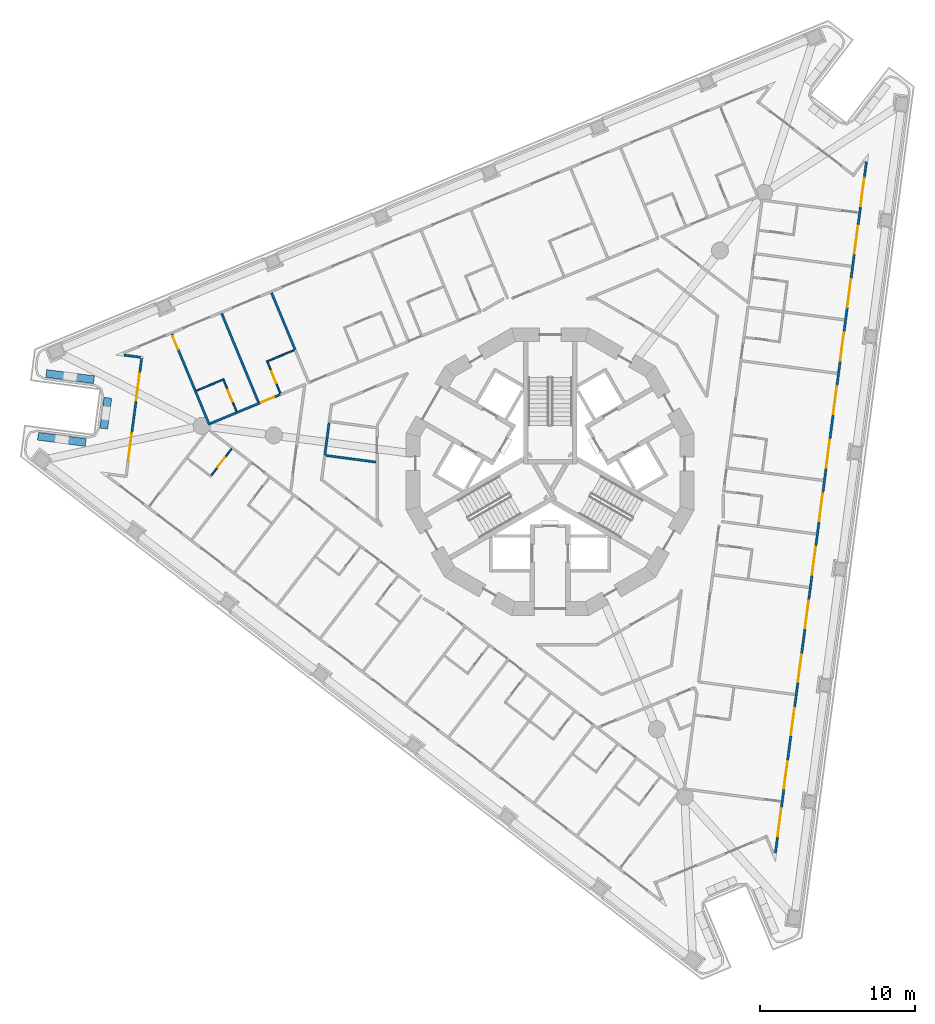
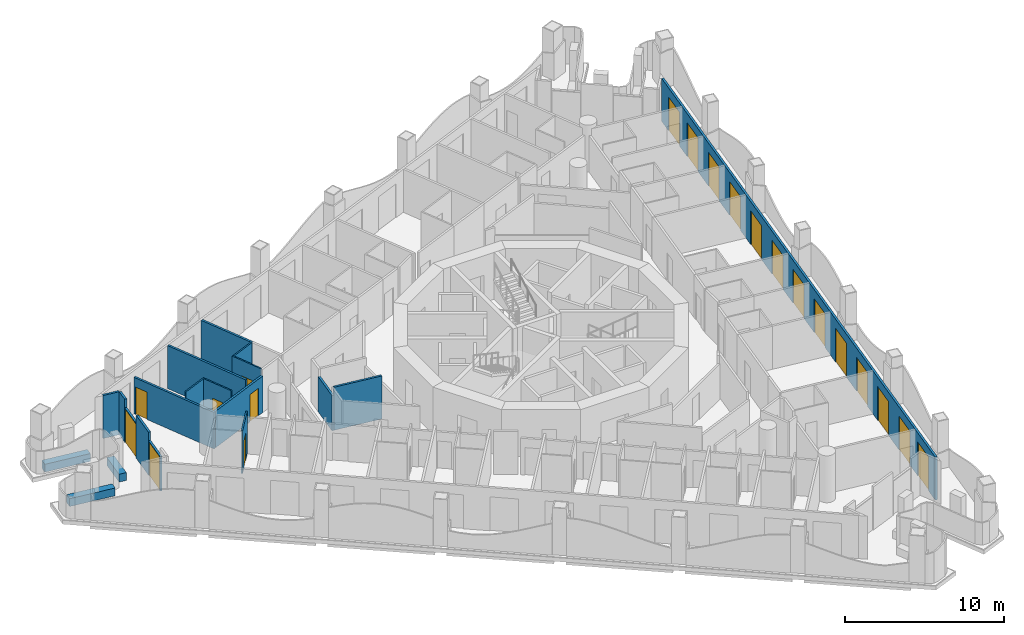
# One storey, part 6 of 17: 20 doors, 20 walls, 20 openings.
"""IFC4 building model written with IfcOpenShell, lengths in metres."""

from ifc_helpers import new_model, si_unit, direction, frame, frame_2d, origin, place, context, subcontext, project, spatial, polyline, rectangle, outline, extrude, material, layer, layer_set, type_object, element, fill, save


model = new_model("IFC4")

# Units and contexts
model_context = context("Model", 3, precision=1e-05, world=origin(), true_north=direction((0.0, 1.0)))
body_context = subcontext(model_context, "Body", "Model", "MODEL_VIEW")
ifc_project = project(units=[si_unit("LENGTHUNIT", "METRE"), si_unit("AREAUNIT", "SQUARE_METRE"), si_unit("VOLUMEUNIT", "CUBIC_METRE"), si_unit("PLANEANGLEUNIT", "RADIAN"), si_unit("MASSUNIT", "GRAM", prefix="KILO")], contexts=[model_context])

# Site, building, storey
site_placement = place(None, origin())
site = spatial("IfcSite", under=ifc_project, at=site_placement, CompositionType="ELEMENT")
building_placement = place(site_placement, origin())
building = spatial("IfcBuilding", under=site, at=building_placement, Name="Trine Commons Tower", CompositionType="ELEMENT")
storey_placement = place(building_placement, frame((0.0, 0.0, 149.39990234375)))
storey = spatial("IfcBuildingStorey", under=building, at=storey_placement, Name="L38", CompositionType="ELEMENT", Elevation=149.39990234375)

# Wall, opening, door
ifc_material_1 = material(Name="Aluminium-framed insulated wall panel", Category="aluminium")
ifc_layer_1 = layer(ifc_material_1, 0.14990234375)
ifc_layer_set_1 = layer_set([ifc_layer_1], Name="Aluminium-framed insulated wall panel")
wall_type_1 = type_object("IfcWallType", Name="Glazed frame wall 150, EI 60", PredefinedType="SOLIDWALL", material=ifc_layer_set_1)
wall_1_placement = place(storey_placement, frame((52.811279296875, 63.154296875, 0.0), z_axis=(0.0, 0.0, 1.0), x_axis=(0.130547578832, 0.991442045538, 0.0)))
wall_1 = element("IfcWall", 1, at=wall_1_placement, inside=storey, type_object=wall_type_1, Name="Glazed frame wall P1.2", PredefinedType="SOLIDWALL", context=body_context, shape_type="SweptSolid", body=[
    extrude(outline(polyline([(0.0, -0.074951171875), (1.89990234375, -0.074951171875), (1.89990234375, 0.074951171875), (0.0, 0.074951171875), (0.0, -0.074951171875)])), origin(), (0.0, 0.0, 1.0), 2.650146484375),
])
opening_1_placement = place(wall_1_placement, frame((0.050048828125, 0.0, 0.0)))
opening_1 = element("IfcOpeningElement", 2, at=opening_1_placement, cuts=wall_1, Name="Opening BD-4P1-01", PredefinedType="OPENING", context=body_context, shape_type="SweptSolid", body=[
    extrude(rectangle(XDim=1.800048828125, YDim=2.60009765625, at=frame_2d((0.89990234375, 1.300048828125))), frame((0.0, 0.0849609375, 0.0), z_axis=(0.0, -1.0, 0.0), x_axis=(1.0, 0.0, 0.0)), (0.0, 0.0, 1.0), 0.169921875),
])
ifc_material_2 = material(Name="Anodised aluminium frame with double glazing", Category="aluminium")
door_type_1 = type_object("IfcDoorType", Name="Sliding loggia door 1800x2600", OperationType="SLIDING_TO_LEFT", PredefinedType="DOOR", material=ifc_material_2)
door_1_placement = place(opening_1_placement, origin())
door_1 = element("IfcDoor", 3, at=door_1_placement, inside=storey, type_object=door_type_1, Name="Loggia door P1 1", OperationType="SLIDING_TO_LEFT", OverallHeight=2.60009765625, OverallWidth=1.800048828125, PredefinedType="DOOR", context=body_context, shape_type="SweptSolid", body=[
    extrude(rectangle(XDim=1.800048828125, YDim=2.60009765625, at=frame_2d((0.89990234375, 1.300048828125))), frame((0.0, 0.02490234375, 0.0), z_axis=(0.0, -1.0, 0.0), x_axis=(1.0, 0.0, 0.0)), (0.0, 0.0, 1.0), 0.050048828125),
])
fill(opening_1, door_1)

# Wall
wall_2_placement = place(storey_placement, frame((53.059326171875, 65.0380859375, 0.0), z_axis=(0.0, 0.0, 1.0), x_axis=(0.130492404742, 0.991449308994, 0.0)))
element("IfcWall", 4, at=wall_2_placement, inside=storey, type_object=wall_type_1, Name="Glazed frame wall P1.3", PredefinedType="SOLIDWALL", context=body_context, shape_type="SweptSolid", body=[
    extrude(outline(polyline([(0.0, -0.074951171875), (2.0, -0.074951171875), (2.0, 0.074951171875), (0.0, 0.074951171875), (0.0, -0.074951171875)])), origin(), (0.0, 0.0, 1.0), 3.300048828125),
])

# Wall, opening, door
wall_3_placement = place(storey_placement, frame((53.3203125, 67.02099609375, 0.0), z_axis=(0.0, 0.0, 1.0), x_axis=(0.130547578832, 0.991442045538, 0.0)))
wall_3 = element("IfcWall", 5, at=wall_3_placement, inside=storey, type_object=wall_type_1, Name="Glazed frame wall P1.4", PredefinedType="SOLIDWALL", context=body_context, shape_type="SweptSolid", body=[
    extrude(outline(polyline([(0.0, -0.074951171875), (1.89990234375, -0.074951171875), (1.89990234375, 0.074951171875), (0.0, 0.074951171875), (0.0, -0.074951171875)])), origin(), (0.0, 0.0, 1.0), 2.650146484375),
])
opening_2_placement = place(wall_3_placement, frame((0.050048828125, 0.0, 0.0)))
opening_2 = element("IfcOpeningElement", 6, at=opening_2_placement, cuts=wall_3, Name="Opening BD-4P1-02", PredefinedType="OPENING", context=body_context, shape_type="SweptSolid", body=[
    extrude(rectangle(XDim=1.800048828125, YDim=2.60009765625, at=frame_2d((0.89990234375, 1.300048828125))), frame((0.0, 0.0849609375, 0.0), z_axis=(0.0, -1.0, 0.0), x_axis=(1.0, 0.0, 0.0)), (0.0, 0.0, 1.0), 0.169921875),
])
door_2_placement = place(opening_2_placement, origin())
door_2 = element("IfcDoor", 7, at=door_2_placement, inside=storey, type_object=door_type_1, Name="Loggia door P1 2", OperationType="SLIDING_TO_LEFT", OverallHeight=2.60009765625, OverallWidth=1.800048828125, PredefinedType="DOOR", context=body_context, shape_type="SweptSolid", body=[
    extrude(rectangle(XDim=1.800048828125, YDim=2.60009765625, at=frame_2d((0.89990234375, 1.300048828125))), frame((0.0, 0.02490234375, 0.0), z_axis=(0.0, -1.0, 0.0), x_axis=(1.0, 0.0, 0.0)), (0.0, 0.0, 1.0), 0.050048828125),
])
fill(opening_2, door_2)

# Walls
wall_4_placement = place(storey_placement, frame((53.568359375, 68.90478515625, 0.0), z_axis=(0.0, 0.0, 1.0), x_axis=(0.130612392842, 0.991433509034, 0.0)))
element("IfcWall", 8, at=wall_4_placement, inside=storey, type_object=wall_type_1, Name="Glazed frame wall P1.5", PredefinedType="SOLIDWALL", context=body_context, shape_type="SweptSolid", body=[
    extrude(outline(polyline([(0.889892578125, 0.074951171875), (0.0, 0.074951171875), (0.0, -0.074951171875), (0.889892578125, -0.074951171875), (0.889892578125, 0.074951171875)])), origin(), (0.0, 0.0, 1.0), 3.300048828125),
])
wall_5_placement = place(storey_placement, frame((53.72900390625, 69.85693359375, 0.0), z_axis=(0.0, 0.0, 1.0), x_axis=(-0.991446880033, 0.130510858064, 0.0)))
element("IfcWall", 9, at=wall_5_placement, inside=storey, type_object=wall_type_1, Name="Glazed frame wall R3", PredefinedType="SOLIDWALL", context=body_context, shape_type="SweptSolid", body=[
    extrude(outline(polyline([(0.110107421875, 0.074951171875), (0.110107421875, -0.074951171875), (1.19580078125, -0.074951171875), (1.19580078125, 0.074951171875), (0.110107421875, 0.074951171875)])), origin(), (0.0, 0.0, 1.0), 3.300048828125),
])

# Wall, openings, doors
wall_6_placement = place(storey_placement, frame((100.387939453125, 82.614013671875, 0.0), z_axis=(0.0, 0.0, 1.0), x_axis=(-0.130522128443, -0.991445396372, 0.0)))
wall_6 = element("IfcWall", 10, at=wall_6_placement, inside=storey, type_object=wall_type_1, Name="Glazed frame wall F2", PredefinedType="SOLIDWALL", context=body_context, shape_type="SweptSolid", body=[
    extrude(outline(polyline([(0.1494140625, 0.074951171875), (0.1494140625, -0.074951171875), (45.056884765625, -0.074951171875), (45.056884765625, 0.074951171875), (0.1494140625, 0.074951171875)])), origin(), (0.0, 0.0, 1.0), 3.300048828125),
])
opening_3_placement = place(wall_6_placement, frame((1.23876953125, 0.0, 0.0)))
opening_3 = element("IfcOpeningElement", 11, at=opening_3_placement, cuts=wall_6, Name="Opening BD-4F2-01", PredefinedType="OPENING", context=body_context, shape_type="SweptSolid", body=[
    extrude(rectangle(XDim=1.800048828125, YDim=2.60009765625, at=frame_2d((0.89990234375, 1.300048828125))), frame((0.0, 0.0849609375, 0.0), z_axis=(0.0, -1.0, 0.0), x_axis=(1.0, 0.0, 0.0)), (0.0, 0.0, 1.0), 0.169921875),
])
opening_4_placement = place(wall_6_placement, frame((4.316162109375, 0.0, 0.0)))
opening_4 = element("IfcOpeningElement", 12, at=opening_4_placement, cuts=wall_6, Name="Opening BD-4F2-02", PredefinedType="OPENING", context=body_context, shape_type="SweptSolid", body=[
    extrude(rectangle(XDim=1.800048828125, YDim=2.60009765625, at=frame_2d((0.89990234375, 1.300048828125))), frame((0.0, 0.0849609375, 0.0), z_axis=(0.0, -1.0, 0.0), x_axis=(1.0, 0.0, 0.0)), (0.0, 0.0, 1.0), 0.169921875),
])
opening_5_placement = place(wall_6_placement, frame((7.79345703125, 0.0, 0.0)))
opening_5 = element("IfcOpeningElement", 13, at=opening_5_placement, cuts=wall_6, Name="Opening BD-4F2-03", PredefinedType="OPENING", context=body_context, shape_type="SweptSolid", body=[
    extrude(rectangle(XDim=1.800048828125, YDim=2.60009765625, at=frame_2d((0.89990234375, 1.300048828125))), frame((0.0, 0.0849609375, 0.0), z_axis=(0.0, -1.0, 0.0), x_axis=(1.0, 0.0, 0.0)), (0.0, 0.0, 1.0), 0.169921875),
])
opening_6_placement = place(wall_6_placement, frame((11.27099609375, 0.0, 0.0)))
opening_6 = element("IfcOpeningElement", 14, at=opening_6_placement, cuts=wall_6, Name="Opening BD-4F2-04", PredefinedType="OPENING", context=body_context, shape_type="SweptSolid", body=[
    extrude(rectangle(XDim=1.800048828125, YDim=2.60009765625, at=frame_2d((0.89990234375, 1.300048828125))), frame((0.0, 0.0849609375, 0.0), z_axis=(0.0, -1.0, 0.0), x_axis=(1.0, 0.0, 0.0)), (0.0, 0.0, 1.0), 0.169921875),
])
opening_7_placement = place(wall_6_placement, frame((14.748291015625, 0.0, 0.0)))
opening_7 = element("IfcOpeningElement", 15, at=opening_7_placement, cuts=wall_6, Name="Opening BD-4F2-05", PredefinedType="OPENING", context=body_context, shape_type="SweptSolid", body=[
    extrude(rectangle(XDim=1.800048828125, YDim=2.60009765625, at=frame_2d((0.89990234375, 1.300048828125))), frame((0.0, 0.0849609375, 0.0), z_axis=(0.0, -1.0, 0.0), x_axis=(1.0, 0.0, 0.0)), (0.0, 0.0, 1.0), 0.169921875),
])
opening_8_placement = place(wall_6_placement, frame((18.2255859375, 0.0, 0.0)))
opening_8 = element("IfcOpeningElement", 16, at=opening_8_placement, cuts=wall_6, Name="Opening BD-4F2-06", PredefinedType="OPENING", context=body_context, shape_type="SweptSolid", body=[
    extrude(rectangle(XDim=1.800048828125, YDim=2.60009765625, at=frame_2d((0.89990234375, 1.300048828125))), frame((0.0, 0.0849609375, 0.0), z_axis=(0.0, -1.0, 0.0), x_axis=(1.0, 0.0, 0.0)), (0.0, 0.0, 1.0), 0.169921875),
])
opening_9_placement = place(wall_6_placement, frame((21.703125, 0.0, 0.0)))
opening_9 = element("IfcOpeningElement", 17, at=opening_9_placement, cuts=wall_6, Name="Opening BD-4F2-07", PredefinedType="OPENING", context=body_context, shape_type="SweptSolid", body=[
    extrude(rectangle(XDim=1.800048828125, YDim=2.60009765625, at=frame_2d((0.89990234375, 1.300048828125))), frame((0.0, 0.0849609375, 0.0), z_axis=(0.0, -1.0, 0.0), x_axis=(1.0, 0.0, 0.0)), (0.0, 0.0, 1.0), 0.169921875),
])
opening_10_placement = place(wall_6_placement, frame((25.180419921875, 0.0, 0.0)))
opening_10 = element("IfcOpeningElement", 18, at=opening_10_placement, cuts=wall_6, Name="Opening BD-4F2-08", PredefinedType="OPENING", context=body_context, shape_type="SweptSolid", body=[
    extrude(rectangle(XDim=1.800048828125, YDim=2.60009765625, at=frame_2d((0.89990234375, 1.300048828125))), frame((0.0, 0.0849609375, 0.0), z_axis=(0.0, -1.0, 0.0), x_axis=(1.0, 0.0, 0.0)), (0.0, 0.0, 1.0), 0.169921875),
])
opening_11_placement = place(wall_6_placement, frame((28.657958984375, 0.0, 0.0)))
opening_11 = element("IfcOpeningElement", 19, at=opening_11_placement, cuts=wall_6, Name="Opening BD-4F2-09", PredefinedType="OPENING", context=body_context, shape_type="SweptSolid", body=[
    extrude(rectangle(XDim=1.800048828125, YDim=2.60009765625, at=frame_2d((0.89990234375, 1.300048828125))), frame((0.0, 0.0849609375, 0.0), z_axis=(0.0, -1.0, 0.0), x_axis=(1.0, 0.0, 0.0)), (0.0, 0.0, 1.0), 0.169921875),
])
opening_12_placement = place(wall_6_placement, frame((32.13525390625, 0.0, 0.0)))
opening_12 = element("IfcOpeningElement", 20, at=opening_12_placement, cuts=wall_6, Name="Opening BD-4F2-10", PredefinedType="OPENING", context=body_context, shape_type="SweptSolid", body=[
    extrude(rectangle(XDim=1.800048828125, YDim=2.60009765625, at=frame_2d((0.89990234375, 1.300048828125))), frame((0.0, 0.0849609375, 0.0), z_axis=(0.0, -1.0, 0.0), x_axis=(1.0, 0.0, 0.0)), (0.0, 0.0, 1.0), 0.169921875),
])
opening_13_placement = place(wall_6_placement, frame((35.61279296875, 0.0, 0.0)))
opening_13 = element("IfcOpeningElement", 21, at=opening_13_placement, cuts=wall_6, Name="Opening BD-4F2-11", PredefinedType="OPENING", context=body_context, shape_type="SweptSolid", body=[
    extrude(rectangle(XDim=1.800048828125, YDim=2.60009765625, at=frame_2d((0.89990234375, 1.300048828125))), frame((0.0, 0.0849609375, 0.0), z_axis=(0.0, -1.0, 0.0), x_axis=(1.0, 0.0, 0.0)), (0.0, 0.0, 1.0), 0.169921875),
])
opening_14_placement = place(wall_6_placement, frame((39.090087890625, 0.0, 0.0)))
opening_14 = element("IfcOpeningElement", 22, at=opening_14_placement, cuts=wall_6, Name="Opening BD-4F2-12", PredefinedType="OPENING", context=body_context, shape_type="SweptSolid", body=[
    extrude(rectangle(XDim=1.800048828125, YDim=2.60009765625, at=frame_2d((0.89990234375, 1.300048828125))), frame((0.0, 0.0849609375, 0.0), z_axis=(0.0, -1.0, 0.0), x_axis=(1.0, 0.0, 0.0)), (0.0, 0.0, 1.0), 0.169921875),
])
opening_15_placement = place(wall_6_placement, frame((42.16748046875, 0.0, 0.0)))
opening_15 = element("IfcOpeningElement", 23, at=opening_15_placement, cuts=wall_6, Name="Opening BD-4F2-13", PredefinedType="OPENING", context=body_context, shape_type="SweptSolid", body=[
    extrude(rectangle(XDim=1.800048828125, YDim=2.60009765625, at=frame_2d((0.89990234375, 1.300048828125))), frame((0.0, 0.0849609375, 0.0), z_axis=(0.0, -1.0, 0.0), x_axis=(1.0, 0.0, 0.0)), (0.0, 0.0, 1.0), 0.169921875),
])
door_3_placement = place(opening_3_placement, origin())
door_3 = element("IfcDoor", 24, at=door_3_placement, inside=storey, type_object=door_type_1, Name="Loggia door F2 1", OperationType="SLIDING_TO_LEFT", OverallHeight=2.60009765625, OverallWidth=1.800048828125, PredefinedType="DOOR", context=body_context, shape_type="SweptSolid", body=[
    extrude(rectangle(XDim=1.800048828125, YDim=2.60009765625, at=frame_2d((0.89990234375, 1.300048828125))), frame((0.0, 0.02490234375, 0.0), z_axis=(0.0, -1.0, 0.0), x_axis=(1.0, 0.0, 0.0)), (0.0, 0.0, 1.0), 0.050048828125),
])
fill(opening_3, door_3)
door_4_placement = place(opening_4_placement, origin())
door_4 = element("IfcDoor", 25, at=door_4_placement, inside=storey, type_object=door_type_1, Name="Loggia door F2 2", OperationType="SLIDING_TO_LEFT", OverallHeight=2.60009765625, OverallWidth=1.800048828125, PredefinedType="DOOR", context=body_context, shape_type="SweptSolid", body=[
    extrude(rectangle(XDim=1.800048828125, YDim=2.60009765625, at=frame_2d((0.89990234375, 1.300048828125))), frame((0.0, 0.02490234375, 0.0), z_axis=(0.0, -1.0, 0.0), x_axis=(1.0, 0.0, 0.0)), (0.0, 0.0, 1.0), 0.050048828125),
])
fill(opening_4, door_4)
door_5_placement = place(opening_5_placement, origin())
door_5 = element("IfcDoor", 26, at=door_5_placement, inside=storey, type_object=door_type_1, Name="Loggia door F2 3", OperationType="SLIDING_TO_LEFT", OverallHeight=2.60009765625, OverallWidth=1.800048828125, PredefinedType="DOOR", context=body_context, shape_type="SweptSolid", body=[
    extrude(rectangle(XDim=1.800048828125, YDim=2.60009765625, at=frame_2d((0.89990234375, 1.300048828125))), frame((0.0, 0.02490234375, 0.0), z_axis=(0.0, -1.0, 0.0), x_axis=(1.0, 0.0, 0.0)), (0.0, 0.0, 1.0), 0.050048828125),
])
fill(opening_5, door_5)
door_6_placement = place(opening_6_placement, origin())
door_6 = element("IfcDoor", 27, at=door_6_placement, inside=storey, type_object=door_type_1, Name="Loggia door F2 4", OperationType="SLIDING_TO_LEFT", OverallHeight=2.60009765625, OverallWidth=1.800048828125, PredefinedType="DOOR", context=body_context, shape_type="SweptSolid", body=[
    extrude(rectangle(XDim=1.800048828125, YDim=2.60009765625, at=frame_2d((0.89990234375, 1.300048828125))), frame((0.0, 0.02490234375, 0.0), z_axis=(0.0, -1.0, 0.0), x_axis=(1.0, 0.0, 0.0)), (0.0, 0.0, 1.0), 0.050048828125),
])
fill(opening_6, door_6)
door_7_placement = place(opening_7_placement, origin())
door_7 = element("IfcDoor", 28, at=door_7_placement, inside=storey, type_object=door_type_1, Name="Loggia door F2 5", OperationType="SLIDING_TO_LEFT", OverallHeight=2.60009765625, OverallWidth=1.800048828125, PredefinedType="DOOR", context=body_context, shape_type="SweptSolid", body=[
    extrude(rectangle(XDim=1.800048828125, YDim=2.60009765625, at=frame_2d((0.89990234375, 1.300048828125))), frame((0.0, 0.02490234375, 0.0), z_axis=(0.0, -1.0, 0.0), x_axis=(1.0, 0.0, 0.0)), (0.0, 0.0, 1.0), 0.050048828125),
])
fill(opening_7, door_7)
door_8_placement = place(opening_8_placement, origin())
door_8 = element("IfcDoor", 29, at=door_8_placement, inside=storey, type_object=door_type_1, Name="Loggia door F2 6", OperationType="SLIDING_TO_LEFT", OverallHeight=2.60009765625, OverallWidth=1.800048828125, PredefinedType="DOOR", context=body_context, shape_type="SweptSolid", body=[
    extrude(rectangle(XDim=1.800048828125, YDim=2.60009765625, at=frame_2d((0.89990234375, 1.300048828125))), frame((0.0, 0.02490234375, 0.0), z_axis=(0.0, -1.0, 0.0), x_axis=(1.0, 0.0, 0.0)), (0.0, 0.0, 1.0), 0.050048828125),
])
fill(opening_8, door_8)
door_9_placement = place(opening_9_placement, origin())
door_9 = element("IfcDoor", 30, at=door_9_placement, inside=storey, type_object=door_type_1, Name="Loggia door F2 7", OperationType="SLIDING_TO_LEFT", OverallHeight=2.60009765625, OverallWidth=1.800048828125, PredefinedType="DOOR", context=body_context, shape_type="SweptSolid", body=[
    extrude(rectangle(XDim=1.800048828125, YDim=2.60009765625, at=frame_2d((0.89990234375, 1.300048828125))), frame((0.0, 0.02490234375, 0.0), z_axis=(0.0, -1.0, 0.0), x_axis=(1.0, 0.0, 0.0)), (0.0, 0.0, 1.0), 0.050048828125),
])
fill(opening_9, door_9)
door_10_placement = place(opening_10_placement, origin())
door_10 = element("IfcDoor", 31, at=door_10_placement, inside=storey, type_object=door_type_1, Name="Loggia door F2 8", OperationType="SLIDING_TO_LEFT", OverallHeight=2.60009765625, OverallWidth=1.800048828125, PredefinedType="DOOR", context=body_context, shape_type="SweptSolid", body=[
    extrude(rectangle(XDim=1.800048828125, YDim=2.60009765625, at=frame_2d((0.89990234375, 1.300048828125))), frame((0.0, 0.02490234375, 0.0), z_axis=(0.0, -1.0, 0.0), x_axis=(1.0, 0.0, 0.0)), (0.0, 0.0, 1.0), 0.050048828125),
])
fill(opening_10, door_10)
door_11_placement = place(opening_11_placement, origin())
door_11 = element("IfcDoor", 32, at=door_11_placement, inside=storey, type_object=door_type_1, Name="Loggia door F2 9", OperationType="SLIDING_TO_LEFT", OverallHeight=2.60009765625, OverallWidth=1.800048828125, PredefinedType="DOOR", context=body_context, shape_type="SweptSolid", body=[
    extrude(rectangle(XDim=1.800048828125, YDim=2.60009765625, at=frame_2d((0.89990234375, 1.300048828125))), frame((0.0, 0.02490234375, 0.0), z_axis=(0.0, -1.0, 0.0), x_axis=(1.0, 0.0, 0.0)), (0.0, 0.0, 1.0), 0.050048828125),
])
fill(opening_11, door_11)
door_12_placement = place(opening_12_placement, origin())
door_12 = element("IfcDoor", 33, at=door_12_placement, inside=storey, type_object=door_type_1, Name="Loggia door F2 10", OperationType="SLIDING_TO_LEFT", OverallHeight=2.60009765625, OverallWidth=1.800048828125, PredefinedType="DOOR", context=body_context, shape_type="SweptSolid", body=[
    extrude(rectangle(XDim=1.800048828125, YDim=2.60009765625, at=frame_2d((0.89990234375, 1.300048828125))), frame((0.0, 0.02490234375, 0.0), z_axis=(0.0, -1.0, 0.0), x_axis=(1.0, 0.0, 0.0)), (0.0, 0.0, 1.0), 0.050048828125),
])
fill(opening_12, door_12)
door_13_placement = place(opening_13_placement, origin())
door_13 = element("IfcDoor", 34, at=door_13_placement, inside=storey, type_object=door_type_1, Name="Loggia door F2 11", OperationType="SLIDING_TO_LEFT", OverallHeight=2.60009765625, OverallWidth=1.800048828125, PredefinedType="DOOR", context=body_context, shape_type="SweptSolid", body=[
    extrude(rectangle(XDim=1.800048828125, YDim=2.60009765625, at=frame_2d((0.89990234375, 1.300048828125))), frame((0.0, 0.02490234375, 0.0), z_axis=(0.0, -1.0, 0.0), x_axis=(1.0, 0.0, 0.0)), (0.0, 0.0, 1.0), 0.050048828125),
])
fill(opening_13, door_13)
door_14_placement = place(opening_14_placement, origin())
door_14 = element("IfcDoor", 35, at=door_14_placement, inside=storey, type_object=door_type_1, Name="Loggia door F2 12", OperationType="SLIDING_TO_LEFT", OverallHeight=2.60009765625, OverallWidth=1.800048828125, PredefinedType="DOOR", context=body_context, shape_type="SweptSolid", body=[
    extrude(rectangle(XDim=1.800048828125, YDim=2.60009765625, at=frame_2d((0.89990234375, 1.300048828125))), frame((0.0, 0.02490234375, 0.0), z_axis=(0.0, -1.0, 0.0), x_axis=(1.0, 0.0, 0.0)), (0.0, 0.0, 1.0), 0.050048828125),
])
fill(opening_14, door_14)
door_15_placement = place(opening_15_placement, origin())
door_15 = element("IfcDoor", 36, at=door_15_placement, inside=storey, type_object=door_type_1, Name="Loggia door F2 13", OperationType="SLIDING_TO_LEFT", OverallHeight=2.60009765625, OverallWidth=1.800048828125, PredefinedType="DOOR", context=body_context, shape_type="SweptSolid", body=[
    extrude(rectangle(XDim=1.800048828125, YDim=2.60009765625, at=frame_2d((0.89990234375, 1.300048828125))), frame((0.0, 0.02490234375, 0.0), z_axis=(0.0, -1.0, 0.0), x_axis=(1.0, 0.0, 0.0)), (0.0, 0.0, 1.0), 0.050048828125),
])
fill(opening_15, door_15)

# Walls
ifc_material_3 = material(Name="Planter trough, precast concrete C40/50", Category="concrete")
ifc_layer_2 = layer(ifc_material_3, 0.5)
ifc_layer_set_2 = layer_set([ifc_layer_2], Name="Planter trough, precast concrete C40/50")
wall_type_2 = type_object("IfcWallType", Name="Planter trough 500x600", PredefinedType="PARAPET", material=ifc_layer_set_2)
wall_7_placement = place(storey_placement, frame((47.009765625, 64.78564453125, 0.0), z_axis=(0.0, 0.0, 1.0), x_axis=(0.991448665422, -0.130497294353, 0.0)))
element("IfcWall", 37, at=wall_7_placement, inside=storey, type_object=wall_type_2, Name="Planter 1", PredefinedType="PARAPET", context=body_context, shape_type="SweptSolid", body=[
    extrude(rectangle(XDim=3.10009765625, YDim=0.5, at=frame_2d((1.550048828125, 0.0))), origin(), (0.0, 0.0, 1.0), 0.60009765625),
])
wall_8_placement = place(storey_placement, frame((51.25, 65.2763671875, 0.0), z_axis=(0.0, 0.0, 1.0), x_axis=(0.130492404742, 0.991449308994, 0.0)))
element("IfcWall", 38, at=wall_8_placement, inside=storey, type_object=wall_type_2, Name="Planter 2", PredefinedType="PARAPET", context=body_context, shape_type="SweptSolid", body=[
    extrude(rectangle(XDim=2.0, YDim=0.5, at=frame_2d((1.0, 0.0))), origin(), (0.0, 0.0, 1.0), 0.60009765625),
])
wall_9_placement = place(storey_placement, frame((50.615478515625, 68.426025390625, 0.0), z_axis=(0.0, 0.0, 1.0), x_axis=(-0.991437130155, 0.130584903225, 0.0)))
element("IfcWall", 39, at=wall_9_placement, inside=storey, type_object=wall_type_2, Name="Planter 3", PredefinedType="PARAPET", context=body_context, shape_type="SweptSolid", body=[
    extrude(rectangle(XDim=3.099853515625, YDim=0.5, at=frame_2d((1.5498046875, 0.0))), origin(), (0.0, 0.0, 1.0), 0.60009765625),
])

# Wall, opening, door
ifc_material_4 = material(Name="Gypsum plasterboard on steel stud", Category="steel")
ifc_layer_3 = layer(ifc_material_4, 0.14990234375)
ifc_layer_set_3 = layer_set([ifc_layer_3], Name="Gypsum plasterboard on steel stud")
wall_type_3 = type_object("IfcWallType", Name="Unit and corridor wall 150 mm, EI 60", PredefinedType="PARTITIONING", material=ifc_layer_set_3)
wall_10_placement = place(storey_placement, frame((55.62841796875, 71.361083984375, 0.0), z_axis=(0.0, 0.0, 1.0), x_axis=(0.38260330851, -0.923912716828, 0.0)))
wall_10 = element("IfcWall", 40, at=wall_10_placement, inside=storey, type_object=wall_type_3, Name="Partition 002", PredefinedType="PARTITIONING", context=body_context, shape_type="SweptSolid", body=[
    extrude(rectangle(XDim=6.343994140625, YDim=0.14990234375, at=frame_2d((3.171875, 0.0))), origin(), (0.0, 0.0, 1.0), 2.800048828125),
])
opening_16_placement = place(wall_10_placement, frame((0.14990234375, 0.0, 0.0)))
opening_16 = element("IfcOpeningElement", 41, at=opening_16_placement, cuts=wall_10, Name="Opening D-4C05", PredefinedType="OPENING", context=body_context, shape_type="SweptSolid", body=[
    extrude(rectangle(XDim=0.89990234375, YDim=2.10009765625, at=frame_2d((0.449951171875, 1.050048828125))), frame((0.0, 0.0849609375, 0.0), z_axis=(0.0, -1.0, 0.0), x_axis=(1.0, 0.0, 0.0)), (0.0, 0.0, 1.0), 0.169921875),
])
ifc_material_5 = material(Name="Timber fire door set", Category="wood")
door_type_2 = type_object("IfcDoorType", Name="Bedroom door 900 x 2100, FD30S", OperationType="NOTDEFINED", PredefinedType="DOOR", material=ifc_material_5)
door_16_placement = place(opening_16_placement, origin())
door_16 = element("IfcDoor", 42, at=door_16_placement, inside=storey, type_object=door_type_2, Name="Door D-4C05", OperationType="SINGLE_SWING_LEFT", OverallHeight=2.10009765625, OverallWidth=0.89990234375, PredefinedType="DOOR", context=body_context, shape_type="SweptSolid", body=[
    extrude(rectangle(XDim=0.89990234375, YDim=2.10009765625, at=frame_2d((0.449951171875, 1.050048828125))), frame((0.0, 0.02490234375, 0.0), z_axis=(0.0, -1.0, 0.0), x_axis=(1.0, 0.0, 0.0)), (0.0, 0.0, 1.0), 0.050048828125),
])
fill(opening_16, door_16)

wall_11_placement = place(storey_placement, frame((58.09619140625, 65.59765625, 0.0), z_axis=(0.0, 0.0, 1.0), x_axis=(0.923872707651, 0.382699908621, 0.0)))
wall_11 = element("IfcWall", 43, at=wall_11_placement, inside=storey, type_object=wall_type_3, Name="Partition 007", PredefinedType="PARTITIONING", context=body_context, shape_type="SweptSolid", body=[
    extrude(rectangle(XDim=4.9345703125, YDim=0.14990234375, at=frame_2d((2.46728515625, 0.0))), origin(), (0.0, 0.0, 1.0), 2.800048828125),
])
opening_17_placement = place(wall_11_placement, frame((3.552734375, 0.0, 0.0)))
opening_17 = element("IfcOpeningElement", 44, at=opening_17_placement, cuts=wall_11, Name="Opening D-4C06", PredefinedType="OPENING", context=body_context, shape_type="SweptSolid", body=[
    extrude(rectangle(XDim=0.89990234375, YDim=2.10009765625, at=frame_2d((0.449951171875, 1.050048828125))), frame((0.0, 0.0849609375, 0.0), z_axis=(0.0, -1.0, 0.0), x_axis=(1.0, 0.0, 0.0)), (0.0, 0.0, 1.0), 0.169921875),
])
door_17_placement = place(opening_17_placement, origin())
door_17 = element("IfcDoor", 45, at=door_17_placement, inside=storey, type_object=door_type_2, Name="Door D-4C06", OperationType="SINGLE_SWING_RIGHT", OverallHeight=2.10009765625, OverallWidth=0.89990234375, PredefinedType="DOOR", context=body_context, shape_type="SweptSolid", body=[
    extrude(rectangle(XDim=0.89990234375, YDim=2.10009765625, at=frame_2d((0.449951171875, 1.050048828125))), frame((0.0, 0.02490234375, 0.0), z_axis=(0.0, -1.0, 0.0), x_axis=(1.0, 0.0, 0.0)), (0.0, 0.0, 1.0), 0.050048828125),
])
fill(opening_17, door_17)

# Walls
wall_12_placement = place(storey_placement, frame((58.84130859375, 72.69189453125, 0.0), z_axis=(0.0, 0.0, 1.0), x_axis=(0.382610562407, -0.923909712869, 0.0)))
element("IfcWall", 46, at=wall_12_placement, inside=storey, type_object=wall_type_3, Name="Partition 009", PredefinedType="PARTITIONING", context=body_context, shape_type="SweptSolid", body=[
    extrude(rectangle(XDim=6.19384765625, YDim=0.14990234375, at=frame_2d((3.096923828125, 0.0))), origin(), (0.0, 0.0, 1.0), 3.300048828125),
])
wall_13_placement = place(storey_placement, frame((62.05322265625, 74.02197265625, 0.0), z_axis=(0.0, 0.0, 1.0), x_axis=(0.382954845834, -0.923767062658, 0.0)))
element("IfcWall", 47, at=wall_13_placement, inside=storey, type_object=wall_type_3, Name="Partition 016", PredefinedType="PARTITIONING", context=body_context, shape_type="SweptSolid", body=[
    extrude(rectangle(XDim=3.968505859375, YDim=0.14990234375, at=frame_2d((1.984375, 0.0))), origin(), (0.0, 0.0, 1.0), 3.300048828125),
])
wall_14_placement = place(storey_placement, frame((65.47314453125, 63.4755859375, 0.0), z_axis=(0.0, 0.0, 1.0), x_axis=(0.130468344309, 0.991452475479, 0.0)))
element("IfcWall", 48, at=wall_14_placement, inside=storey, type_object=wall_type_3, Name="Partition 030", PredefinedType="PARTITIONING", context=body_context, shape_type="SweptSolid", body=[
    extrude(rectangle(XDim=2.282958984375, YDim=0.14990234375, at=frame_2d((1.1416015625, 0.0))), origin(), (0.0, 0.0, 1.0), 2.7001953125),
])
wall_15_placement = place(storey_placement, frame((65.558349609375, 63.544189453125, 0.0), z_axis=(0.0, 0.0, 1.0), x_axis=(0.991425096487, -0.13067623371, 0.0)))
element("IfcWall", 49, at=wall_15_placement, inside=storey, type_object=wall_type_3, Name="Partition 031", PredefinedType="PARTITIONING", context=body_context, shape_type="SweptSolid", body=[
    extrude(rectangle(XDim=3.2470703125, YDim=0.14990234375, at=frame_2d((1.62353515625, 0.0))), origin(), (0.0, 0.0, 1.0), 3.300048828125),
])
ifc_layer_4 = layer(ifc_material_4, 0.10009765625)
ifc_layer_set_4 = layer_set([ifc_layer_4], Name="Gypsum plasterboard on steel stud")
wall_type_4 = type_object("IfcWallType", Name="Unit partition 100 mm, no rating", PredefinedType="PARTITIONING", material=ifc_layer_set_4)
wall_16_placement = place(storey_placement, frame((57.21630859375, 67.72265625, 0.0), z_axis=(0.0, 0.0, 1.0), x_axis=(0.923967386518, 0.38247126513, 0.0)))
element("IfcWall", 50, at=wall_16_placement, inside=storey, type_object=wall_type_4, Name="Partition 005", PredefinedType="PARTITIONING", context=body_context, shape_type="SweptSolid", body=[
    extrude(rectangle(XDim=1.92529296875, YDim=0.10009765625, at=frame_2d((0.962646484375, 0.0))), origin(), (0.0, 0.0, 1.0), 3.300048828125),
])

# Wall, opening, door
wall_17_placement = place(storey_placement, frame((58.158447265625, 62.250732421875, 0.0), z_axis=(0.0, 0.0, 1.0), x_axis=(0.609173579823, 0.793036915689, 0.0)))
wall_17 = element("IfcWall", 51, at=wall_17_placement, inside=storey, type_object=wall_type_4, Name="Partition 008", PredefinedType="PARTITIONING", context=body_context, shape_type="SweptSolid", body=[
    extrude(rectangle(XDim=2.175048828125, YDim=0.10009765625, at=frame_2d((1.08740234375, 0.0))), origin(), (0.0, 0.0, 1.0), 3.300048828125),
])
opening_18_placement = place(wall_17_placement, frame((0.6875, 0.0, 0.0)))
opening_18 = element("IfcOpeningElement", 52, at=opening_18_placement, cuts=wall_17, Name="Opening D-4C61", PredefinedType="OPENING", context=body_context, shape_type="SweptSolid", body=[
    extrude(rectangle(XDim=0.800048828125, YDim=2.10009765625, at=frame_2d((0.39990234375, 1.050048828125))), frame((0.0, 0.06005859375, 0.0), z_axis=(0.0, -1.0, 0.0), x_axis=(1.0, 0.0, 0.0)), (0.0, 0.0, 1.0), 0.1201171875),
])
ifc_material_6 = material(Name="Painted timber", Category="wood")
door_type_3 = type_object("IfcDoorType", Name="Internal door 800 x 2100, NOT RATED", OperationType="NOTDEFINED", PredefinedType="DOOR", material=ifc_material_6)
door_18_placement = place(opening_18_placement, frame((0.800048828125, 0.0, 0.0), z_axis=(0.0, 0.0, 1.0), x_axis=(-1.0, 0.0, 0.0)))
door_18 = element("IfcDoor", 53, at=door_18_placement, inside=storey, type_object=door_type_3, Name="Door D-4C61", OperationType="SINGLE_SWING_LEFT", OverallHeight=2.10009765625, OverallWidth=0.800048828125, PredefinedType="DOOR", context=body_context, shape_type="SweptSolid", body=[
    extrude(rectangle(XDim=0.800048828125, YDim=2.10009765625, at=frame_2d((0.39990234375, 1.050048828125))), frame((0.0, 0.02490234375, 0.0), z_axis=(0.0, -1.0, 0.0), x_axis=(1.0, 0.0, 0.0)), (0.0, 0.0, 1.0), 0.050048828125),
])
fill(opening_18, door_18)

wall_18_placement = place(storey_placement, frame((58.968017578125, 68.393798828125, 0.0), z_axis=(0.0, 0.0, 1.0), x_axis=(0.382645891508, -0.92389508155, 0.0)))
wall_18 = element("IfcWall", 54, at=wall_18_placement, inside=storey, type_object=wall_type_4, Name="Partition 010", PredefinedType="PARTITIONING", context=body_context, shape_type="SweptSolid", body=[
    extrude(rectangle(XDim=2.175048828125, YDim=0.10009765625, at=frame_2d((1.08740234375, 0.0))), origin(), (0.0, 0.0, 1.0), 3.300048828125),
])
opening_19_placement = place(wall_18_placement, frame((0.6875, 0.0, 0.0)))
opening_19 = element("IfcOpeningElement", 55, at=opening_19_placement, cuts=wall_18, Name="Opening D-4C38", PredefinedType="OPENING", context=body_context, shape_type="SweptSolid", body=[
    extrude(rectangle(XDim=0.800048828125, YDim=2.10009765625, at=frame_2d((0.39990234375, 1.050048828125))), frame((0.0, 0.06005859375, 0.0), z_axis=(0.0, -1.0, 0.0), x_axis=(1.0, 0.0, 0.0)), (0.0, 0.0, 1.0), 0.1201171875),
])
door_19_placement = place(opening_19_placement, origin())
door_19 = element("IfcDoor", 56, at=door_19_placement, inside=storey, type_object=door_type_3, Name="Door D-4C38", OperationType="SINGLE_SWING_RIGHT", OverallHeight=2.10009765625, OverallWidth=0.800048828125, PredefinedType="DOOR", context=body_context, shape_type="SweptSolid", body=[
    extrude(rectangle(XDim=0.800048828125, YDim=2.10009765625, at=frame_2d((0.39990234375, 1.050048828125))), frame((0.0, 0.02490234375, 0.0), z_axis=(0.0, -1.0, 0.0), x_axis=(1.0, 0.0, 0.0)), (0.0, 0.0, 1.0), 0.050048828125),
])
fill(opening_19, door_19)

wall_19_placement = place(storey_placement, frame((61.751953125, 69.6552734375, 0.0), z_axis=(0.0, 0.0, 1.0), x_axis=(0.382557141415, -0.923931833824, 0.0)))
wall_19 = element("IfcWall", 57, at=wall_19_placement, inside=storey, type_object=wall_type_4, Name="Partition 014", PredefinedType="PARTITIONING", context=body_context, shape_type="SweptSolid", body=[
    extrude(rectangle(XDim=2.275146484375, YDim=0.10009765625, at=frame_2d((1.1376953125, 0.0))), origin(), (0.0, 0.0, 1.0), 3.300048828125),
])
opening_20_placement = place(wall_19_placement, frame((0.7626953125, 0.0, 0.0)))
opening_20 = element("IfcOpeningElement", 58, at=opening_20_placement, cuts=wall_19, Name="Opening D-4C39", PredefinedType="OPENING", context=body_context, shape_type="SweptSolid", body=[
    extrude(rectangle(XDim=0.800048828125, YDim=2.10009765625, at=frame_2d((0.39990234375, 1.050048828125))), frame((0.0, 0.06005859375, 0.0), z_axis=(0.0, -1.0, 0.0), x_axis=(1.0, 0.0, 0.0)), (0.0, 0.0, 1.0), 0.1201171875),
])
door_20_placement = place(opening_20_placement, frame((0.800048828125, 0.0, 0.0), z_axis=(0.0, 0.0, 1.0), x_axis=(-1.0, 0.0, 0.0)))
door_20 = element("IfcDoor", 59, at=door_20_placement, inside=storey, type_object=door_type_3, Name="Door D-4C39", OperationType="SINGLE_SWING_LEFT", OverallHeight=2.10009765625, OverallWidth=0.800048828125, PredefinedType="DOOR", context=body_context, shape_type="SweptSolid", body=[
    extrude(rectangle(XDim=0.800048828125, YDim=2.10009765625, at=frame_2d((0.39990234375, 1.050048828125))), frame((0.0, 0.02490234375, 0.0), z_axis=(0.0, -1.0, 0.0), x_axis=(1.0, 0.0, 0.0)), (0.0, 0.0, 1.0), 0.050048828125),
])
fill(opening_20, door_20)

# Wall
wall_20_placement = place(storey_placement, frame((61.817138671875, 69.628173828125, 0.0), z_axis=(0.0, 0.0, 1.0), x_axis=(0.923755960388, 0.382981625731, 0.0)))
element("IfcWall", 60, at=wall_20_placement, inside=storey, type_object=wall_type_4, Name="Partition 015", PredefinedType="PARTITIONING", context=body_context, shape_type="SweptSolid", body=[
    extrude(rectangle(XDim=1.82568359375, YDim=0.10009765625, at=frame_2d((0.912841796875, 0.0))), origin(), (0.0, 0.0, 1.0), 3.300048828125),
])

save(model, "model.ifc")
